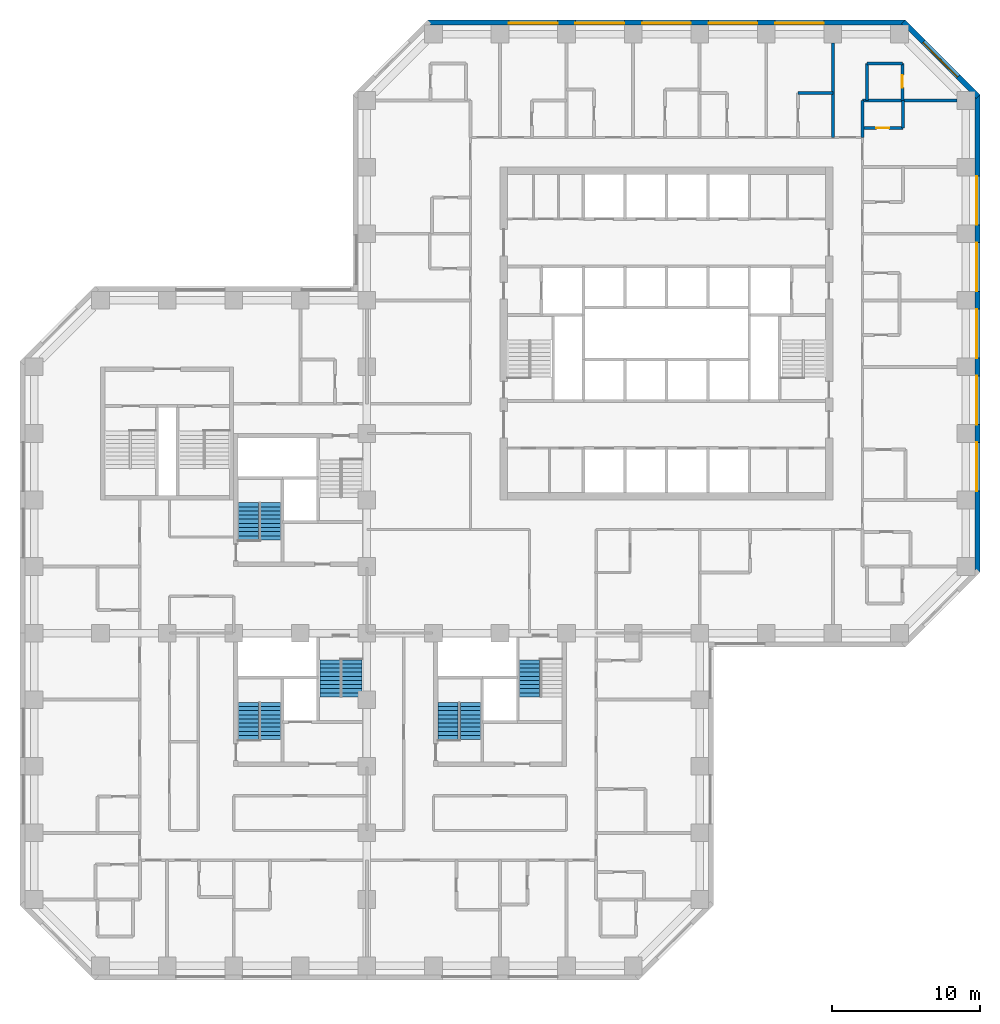
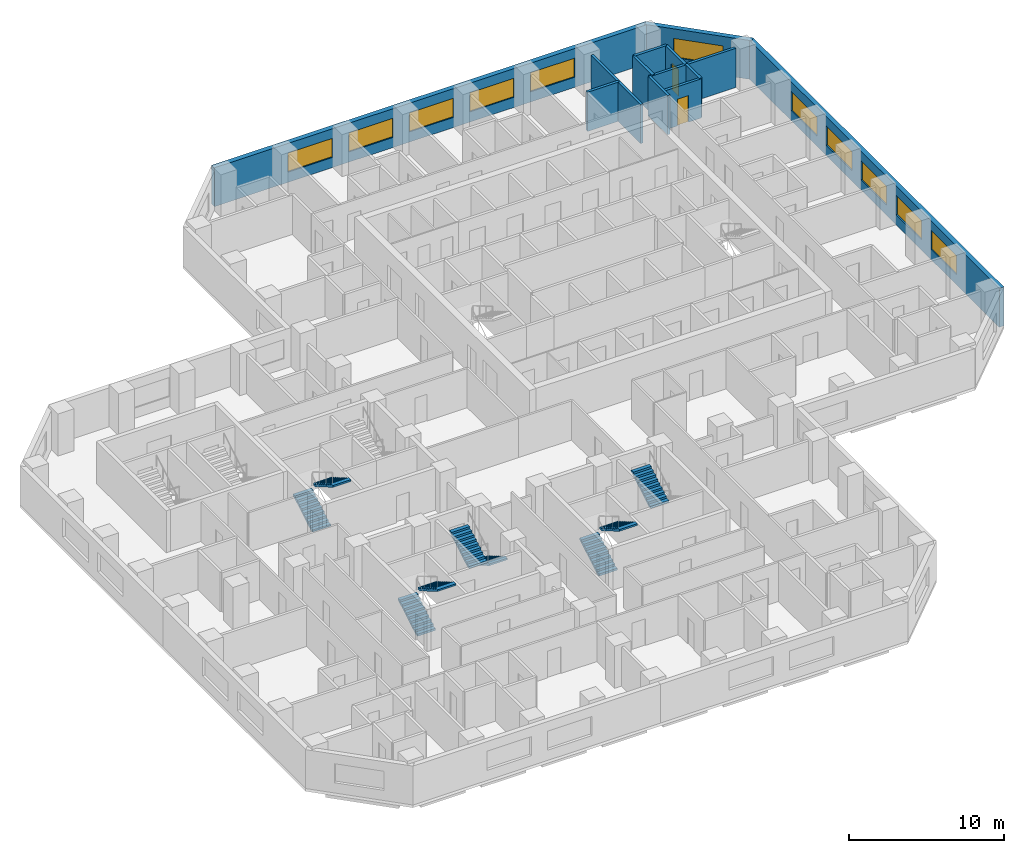
# One storey, part 10 of 12: 12 walls, 11 windows, 9 stair flights, 2 doors, 13 openings, 5 elements without a shape of their own.
"""IFC4 building model written with IfcOpenShell, lengths in metres."""

from ifc_helpers import new_model, si_unit, direction, frame, frame_2d, origin, place, context, subcontext, project, spatial, polyline, rectangle, outline, extrude, material, layer, layer_set, constituent, constituent_set, type_object, element, fill, aggregate, save


model = new_model("IFC4")

# Units and contexts
model_context = context("Model", 3, precision=1e-05, world=origin(), true_north=direction((0.0, 1.0)))
body_context = subcontext(model_context, "Body", "Model", "MODEL_VIEW")
ifc_project = project(units=[si_unit("LENGTHUNIT", "METRE"), si_unit("AREAUNIT", "SQUARE_METRE"), si_unit("VOLUMEUNIT", "CUBIC_METRE"), si_unit("PLANEANGLEUNIT", "RADIAN"), si_unit("MASSUNIT", "GRAM", prefix="KILO")], contexts=[model_context])

# Site, building, storey
site_placement = place(None, origin())
site = spatial("IfcSite", under=ifc_project, at=site_placement, CompositionType="ELEMENT")
building_placement = place(site_placement, origin())
building = spatial("IfcBuilding", under=site, at=building_placement, Name="Quoin Convention Tower", CompositionType="ELEMENT")
storey_placement = place(building_placement, frame((0.0, 0.0, 46.199951171875)))
storey = spatial("IfcBuildingStorey", under=building, at=storey_placement, Name="L11", CompositionType="ELEMENT", Elevation=46.199951171875)

# Wall, openings, windows
ifc_material_1 = material(Name="Brick masonry", Category="masonry")
ifc_layer_1 = layer(ifc_material_1, 0.35009765625)
ifc_layer_set_1 = layer_set([ifc_layer_1], Name="Brick masonry")
wall_type_1 = type_object("IfcWallType", Name="Brick facade wall", PredefinedType="STANDARD", material=ifc_layer_set_1)
wall_1_placement = place(storey_placement, frame((77.27490234375, 44.6064453125, 0.0), z_axis=(0.0, 0.0, 1.0), x_axis=(0.0, 1.0, 0.0)))
wall_1 = element("IfcWall", 1, at=wall_1_placement, inside=storey, type_object=wall_type_1, Name="fw-L11-76500_45000", PredefinedType="STANDARD", context=body_context, shape_type="SweptSolid", body=[
    extrude(rectangle(XDim=32.287109375, YDim=0.35009765625, at=frame_2d((16.1435546875, 0.0))), origin(), (0.0, 0.0, 1.0), 3.054931640625),
])
opening_1_placement = place(wall_1_placement, frame((5.493408203125, 0.0, 0.800048828125)))
opening_1 = element("IfcOpeningElement", 2, at=opening_1_placement, cuts=wall_1, Name="Opening W-01", PredefinedType="OPENING", context=body_context, shape_type="SweptSolid", body=[
    extrude(rectangle(XDim=3.300048828125, YDim=1.5, at=frame_2d((1.64990234375, 0.75))), frame((0.0, 0.18505859375, 0.0), z_axis=(0.0, -1.0, 0.0), x_axis=(1.0, 0.0, 0.0)), (0.0, 0.0, 1.0), 0.3701171875),
])
opening_2_placement = place(wall_1_placement, frame((9.993408203125, 0.0, 0.800048828125)))
opening_2 = element("IfcOpeningElement", 3, at=opening_2_placement, cuts=wall_1, Name="Opening W-01", PredefinedType="OPENING", context=body_context, shape_type="SweptSolid", body=[
    extrude(rectangle(XDim=3.300048828125, YDim=1.5, at=frame_2d((1.64990234375, 0.75))), frame((0.0, 0.18505859375, 0.0), z_axis=(0.0, -1.0, 0.0), x_axis=(1.0, 0.0, 0.0)), (0.0, 0.0, 1.0), 0.3701171875),
])
opening_3_placement = place(wall_1_placement, frame((14.493408203125, 0.0, 0.800048828125)))
opening_3 = element("IfcOpeningElement", 4, at=opening_3_placement, cuts=wall_1, Name="Opening W-01", PredefinedType="OPENING", context=body_context, shape_type="SweptSolid", body=[
    extrude(rectangle(XDim=3.300048828125, YDim=1.5, at=frame_2d((1.64990234375, 0.75))), frame((0.0, 0.18505859375, 0.0), z_axis=(0.0, -1.0, 0.0), x_axis=(1.0, 0.0, 0.0)), (0.0, 0.0, 1.0), 0.3701171875),
])
opening_4_placement = place(wall_1_placement, frame((18.993408203125, 0.0, 0.800048828125)))
opening_4 = element("IfcOpeningElement", 5, at=opening_4_placement, cuts=wall_1, Name="Opening W-01", PredefinedType="OPENING", context=body_context, shape_type="SweptSolid", body=[
    extrude(rectangle(XDim=3.300048828125, YDim=1.5, at=frame_2d((1.64990234375, 0.75))), frame((0.0, 0.18505859375, 0.0), z_axis=(0.0, -1.0, 0.0), x_axis=(1.0, 0.0, 0.0)), (0.0, 0.0, 1.0), 0.3701171875),
])
opening_5_placement = place(wall_1_placement, frame((23.493408203125, 0.0, 0.800048828125)))
opening_5 = element("IfcOpeningElement", 6, at=opening_5_placement, cuts=wall_1, Name="Opening W-01", PredefinedType="OPENING", context=body_context, shape_type="SweptSolid", body=[
    extrude(rectangle(XDim=3.300048828125, YDim=1.5, at=frame_2d((1.64990234375, 0.75))), frame((0.0, 0.18505859375, 0.0), z_axis=(0.0, -1.0, 0.0), x_axis=(1.0, 0.0, 0.0)), (0.0, 0.0, 1.0), 0.3701171875),
])
ifc_material_2 = material(Name="Aluminium", Category="aluminium")
ifc_constituent_1 = constituent(ifc_material_2, Name="Frame")
ifc_material_3 = material(Name="Insulated glass", Category="glass")
ifc_constituent_2 = constituent(ifc_material_3, Name="Glazing")
ifc_constituent_set = constituent_set(constituents=[ifc_constituent_1, ifc_constituent_2], Name="Aluminium")
window_type = type_object("IfcWindowType", Name="Hotel strip window", PartitioningType="DOUBLE_PANEL_VERTICAL", PredefinedType="WINDOW", material=ifc_constituent_set)
window_1_placement = place(opening_1_placement, origin())
window_1 = element("IfcWindow", 7, at=window_1_placement, inside=storey, type_object=window_type, Name="win-L11-77275_51750", OverallHeight=1.5, OverallWidth=3.300048828125, PartitioningType="SINGLE_PANEL", PredefinedType="WINDOW", context=body_context, shape_type="SweptSolid", body=[
    extrude(rectangle(XDim=3.300048828125, YDim=1.5, at=frame_2d((1.64990234375, 0.75))), frame((0.0, 0.0849609375, 0.0), z_axis=(0.0, -1.0, 0.0), x_axis=(1.0, 0.0, 0.0)), (0.0, 0.0, 1.0), 0.06005859375),
])
fill(opening_1, window_1)
window_2_placement = place(opening_2_placement, origin())
window_2 = element("IfcWindow", 8, at=window_2_placement, inside=storey, type_object=window_type, Name="win-L11-77275_56250", OverallHeight=1.5, OverallWidth=3.300048828125, PartitioningType="SINGLE_PANEL", PredefinedType="WINDOW", context=body_context, shape_type="SweptSolid", body=[
    extrude(rectangle(XDim=3.300048828125, YDim=1.5, at=frame_2d((1.64990234375, 0.75))), frame((0.0, 0.0849609375, 0.0), z_axis=(0.0, -1.0, 0.0), x_axis=(1.0, 0.0, 0.0)), (0.0, 0.0, 1.0), 0.06005859375),
])
fill(opening_2, window_2)
window_3_placement = place(opening_3_placement, origin())
window_3 = element("IfcWindow", 9, at=window_3_placement, inside=storey, type_object=window_type, Name="win-L11-77275_60750", OverallHeight=1.5, OverallWidth=3.300048828125, PartitioningType="SINGLE_PANEL", PredefinedType="WINDOW", context=body_context, shape_type="SweptSolid", body=[
    extrude(rectangle(XDim=3.300048828125, YDim=1.5, at=frame_2d((1.64990234375, 0.75))), frame((0.0, 0.0849609375, 0.0), z_axis=(0.0, -1.0, 0.0), x_axis=(1.0, 0.0, 0.0)), (0.0, 0.0, 1.0), 0.06005859375),
])
fill(opening_3, window_3)
window_4_placement = place(opening_4_placement, origin())
window_4 = element("IfcWindow", 10, at=window_4_placement, inside=storey, type_object=window_type, Name="win-L11-77275_65250", OverallHeight=1.5, OverallWidth=3.300048828125, PartitioningType="SINGLE_PANEL", PredefinedType="WINDOW", context=body_context, shape_type="SweptSolid", body=[
    extrude(rectangle(XDim=3.300048828125, YDim=1.5, at=frame_2d((1.64990234375, 0.75))), frame((0.0, 0.0849609375, 0.0), z_axis=(0.0, -1.0, 0.0), x_axis=(1.0, 0.0, 0.0)), (0.0, 0.0, 1.0), 0.06005859375),
])
fill(opening_4, window_4)
window_5_placement = place(opening_5_placement, origin())
window_5 = element("IfcWindow", 11, at=window_5_placement, inside=storey, type_object=window_type, Name="win-L11-77275_69750", OverallHeight=1.5, OverallWidth=3.300048828125, PartitioningType="SINGLE_PANEL", PredefinedType="WINDOW", context=body_context, shape_type="SweptSolid", body=[
    extrude(rectangle(XDim=3.300048828125, YDim=1.5, at=frame_2d((1.64990234375, 0.75))), frame((0.0, 0.0849609375, 0.0), z_axis=(0.0, -1.0, 0.0), x_axis=(1.0, 0.0, 0.0)), (0.0, 0.0, 1.0), 0.06005859375),
])
fill(opening_5, window_5)

# Wall, opening, window
wall_2_placement = place(storey_placement, frame((77.326416015625, 76.769775390625, 0.0), z_axis=(0.0, 0.0, 1.0), x_axis=(-0.707106781187, 0.707106781187, 0.0)))
wall_2 = element("IfcWall", 12, at=wall_2_placement, inside=storey, type_object=wall_type_1, Name="fw-L11-76500_76500", PredefinedType="STANDARD", context=body_context, shape_type="SweptSolid", body=[
    extrude(rectangle(XDim=7.151123046875, YDim=0.35009765625, at=frame_2d((3.57568359375, 0.0))), origin(), (0.0, 0.0, 1.0), 3.054931640625),
])
opening_6_placement = place(wall_2_placement, frame((1.925537109375, 0.0, 0.800048828125)))
opening_6 = element("IfcOpeningElement", 13, at=opening_6_placement, cuts=wall_2, Name="Opening W-01", PredefinedType="OPENING", context=body_context, shape_type="SweptSolid", body=[
    extrude(rectangle(XDim=3.300048828125, YDim=1.5, at=frame_2d((1.64990234375, 0.75))), frame((0.0, 0.18505859375, 0.0), z_axis=(0.0, -1.0, 0.0), x_axis=(1.0, 0.0, 0.0)), (0.0, 0.0, 1.0), 0.3701171875),
])
window_6_placement = place(opening_6_placement, origin())
window_6 = element("IfcWindow", 14, at=window_6_placement, inside=storey, type_object=window_type, Name="win-L11-74798_79298", OverallHeight=1.5, OverallWidth=3.300048828125, PartitioningType="SINGLE_PANEL", PredefinedType="WINDOW", context=body_context, shape_type="SweptSolid", body=[
    extrude(rectangle(XDim=3.300048828125, YDim=1.5, at=frame_2d((1.64990234375, 0.75))), frame((0.0, 0.0849609375, 0.0), z_axis=(0.0, -1.0, 0.0), x_axis=(1.0, 0.0, 0.0)), (0.0, 0.0, 1.0), 0.06005859375),
])
fill(opening_6, window_6)

# Wall, openings, windows
wall_3_placement = place(storey_placement, frame((72.3935546875, 81.77490234375, 0.0), z_axis=(0.0, 0.0, 1.0), x_axis=(-1.0, 0.0, 0.0)))
wall_3 = element("IfcWall", 15, at=wall_3_placement, inside=storey, type_object=wall_type_1, Name="fw-L11-72000_81000", PredefinedType="STANDARD", context=body_context, shape_type="SweptSolid", body=[
    extrude(rectangle(XDim=32.287109375, YDim=0.35009765625, at=frame_2d((16.1435546875, 0.0))), origin(), (0.0, 0.0, 1.0), 3.054931640625),
])
opening_7_placement = place(wall_3_placement, frame((5.493408203125, 0.0, 0.800048828125)))
opening_7 = element("IfcOpeningElement", 16, at=opening_7_placement, cuts=wall_3, Name="Opening W-01", PredefinedType="OPENING", context=body_context, shape_type="SweptSolid", body=[
    extrude(rectangle(XDim=3.300048828125, YDim=1.5, at=frame_2d((1.64990234375, 0.75))), frame((0.0, 0.18505859375, 0.0), z_axis=(0.0, -1.0, 0.0), x_axis=(1.0, 0.0, 0.0)), (0.0, 0.0, 1.0), 0.3701171875),
])
opening_8_placement = place(wall_3_placement, frame((9.993408203125, 0.0, 0.800048828125)))
opening_8 = element("IfcOpeningElement", 17, at=opening_8_placement, cuts=wall_3, Name="Opening W-01", PredefinedType="OPENING", context=body_context, shape_type="SweptSolid", body=[
    extrude(rectangle(XDim=3.300048828125, YDim=1.5, at=frame_2d((1.64990234375, 0.75))), frame((0.0, 0.18505859375, 0.0), z_axis=(0.0, -1.0, 0.0), x_axis=(1.0, 0.0, 0.0)), (0.0, 0.0, 1.0), 0.3701171875),
])
opening_9_placement = place(wall_3_placement, frame((14.493408203125, 0.0, 0.800048828125)))
opening_9 = element("IfcOpeningElement", 18, at=opening_9_placement, cuts=wall_3, Name="Opening W-01", PredefinedType="OPENING", context=body_context, shape_type="SweptSolid", body=[
    extrude(rectangle(XDim=3.300048828125, YDim=1.5, at=frame_2d((1.64990234375, 0.75))), frame((0.0, 0.18505859375, 0.0), z_axis=(0.0, -1.0, 0.0), x_axis=(1.0, 0.0, 0.0)), (0.0, 0.0, 1.0), 0.3701171875),
])
opening_10_placement = place(wall_3_placement, frame((18.993408203125, 0.0, 0.800048828125)))
opening_10 = element("IfcOpeningElement", 19, at=opening_10_placement, cuts=wall_3, Name="Opening W-01", PredefinedType="OPENING", context=body_context, shape_type="SweptSolid", body=[
    extrude(rectangle(XDim=3.300048828125, YDim=1.5, at=frame_2d((1.64990234375, 0.75))), frame((0.0, 0.18505859375, 0.0), z_axis=(0.0, -1.0, 0.0), x_axis=(1.0, 0.0, 0.0)), (0.0, 0.0, 1.0), 0.3701171875),
])
opening_11_placement = place(wall_3_placement, frame((23.493408203125, 0.0, 0.800048828125)))
opening_11 = element("IfcOpeningElement", 20, at=opening_11_placement, cuts=wall_3, Name="Opening W-01", PredefinedType="OPENING", context=body_context, shape_type="SweptSolid", body=[
    extrude(rectangle(XDim=3.300048828125, YDim=1.5, at=frame_2d((1.64990234375, 0.75))), frame((0.0, 0.18505859375, 0.0), z_axis=(0.0, -1.0, 0.0), x_axis=(1.0, 0.0, 0.0)), (0.0, 0.0, 1.0), 0.3701171875),
])
window_7_placement = place(opening_7_placement, origin())
window_7 = element("IfcWindow", 21, at=window_7_placement, inside=storey, type_object=window_type, Name="win-L11-65250_81775", OverallHeight=1.5, OverallWidth=3.300048828125, PartitioningType="SINGLE_PANEL", PredefinedType="WINDOW", context=body_context, shape_type="SweptSolid", body=[
    extrude(rectangle(XDim=3.300048828125, YDim=1.5, at=frame_2d((1.64990234375, 0.75))), frame((0.0, 0.0849609375, 0.0), z_axis=(0.0, -1.0, 0.0), x_axis=(1.0, 0.0, 0.0)), (0.0, 0.0, 1.0), 0.06005859375),
])
fill(opening_7, window_7)
window_8_placement = place(opening_8_placement, origin())
window_8 = element("IfcWindow", 22, at=window_8_placement, inside=storey, type_object=window_type, Name="win-L11-60750_81775", OverallHeight=1.5, OverallWidth=3.300048828125, PartitioningType="SINGLE_PANEL", PredefinedType="WINDOW", context=body_context, shape_type="SweptSolid", body=[
    extrude(rectangle(XDim=3.300048828125, YDim=1.5, at=frame_2d((1.64990234375, 0.75))), frame((0.0, 0.0849609375, 0.0), z_axis=(0.0, -1.0, 0.0), x_axis=(1.0, 0.0, 0.0)), (0.0, 0.0, 1.0), 0.06005859375),
])
fill(opening_8, window_8)
window_9_placement = place(opening_9_placement, origin())
window_9 = element("IfcWindow", 23, at=window_9_placement, inside=storey, type_object=window_type, Name="win-L11-56250_81775", OverallHeight=1.5, OverallWidth=3.300048828125, PartitioningType="SINGLE_PANEL", PredefinedType="WINDOW", context=body_context, shape_type="SweptSolid", body=[
    extrude(rectangle(XDim=3.300048828125, YDim=1.5, at=frame_2d((1.64990234375, 0.75))), frame((0.0, 0.0849609375, 0.0), z_axis=(0.0, -1.0, 0.0), x_axis=(1.0, 0.0, 0.0)), (0.0, 0.0, 1.0), 0.06005859375),
])
fill(opening_9, window_9)
window_10_placement = place(opening_10_placement, origin())
window_10 = element("IfcWindow", 24, at=window_10_placement, inside=storey, type_object=window_type, Name="win-L11-51750_81775", OverallHeight=1.5, OverallWidth=3.300048828125, PartitioningType="SINGLE_PANEL", PredefinedType="WINDOW", context=body_context, shape_type="SweptSolid", body=[
    extrude(rectangle(XDim=3.300048828125, YDim=1.5, at=frame_2d((1.64990234375, 0.75))), frame((0.0, 0.0849609375, 0.0), z_axis=(0.0, -1.0, 0.0), x_axis=(1.0, 0.0, 0.0)), (0.0, 0.0, 1.0), 0.06005859375),
])
fill(opening_10, window_10)
window_11_placement = place(opening_11_placement, origin())
window_11 = element("IfcWindow", 25, at=window_11_placement, inside=storey, type_object=window_type, Name="win-L11-47250_81775", OverallHeight=1.5, OverallWidth=3.300048828125, PartitioningType="SINGLE_PANEL", PredefinedType="WINDOW", context=body_context, shape_type="SweptSolid", body=[
    extrude(rectangle(XDim=3.300048828125, YDim=1.5, at=frame_2d((1.64990234375, 0.75))), frame((0.0, 0.0849609375, 0.0), z_axis=(0.0, -1.0, 0.0), x_axis=(1.0, 0.0, 0.0)), (0.0, 0.0, 1.0), 0.06005859375),
])
fill(opening_11, window_11)

# Walls
ifc_material_4 = material(Name="Concrete C50", Category="concrete")
ifc_layer_2 = layer(ifc_material_4, 0.199951171875)
ifc_layer_set_2 = layer_set([ifc_layer_2], Name="Concrete C50")
wall_type_2 = type_object("IfcWallType", Name="RC party wall", PredefinedType="SOLIDWALL", material=ifc_layer_set_2)
wall_4_placement = place(storey_placement, frame((67.5, 74.0, 0.0), z_axis=(0.0, 0.0, 1.0), x_axis=(0.0, 1.0, 0.0)))
element("IfcWall", 26, at=wall_4_placement, inside=storey, type_object=wall_type_2, Name="pw-L11-129", PredefinedType="SOLIDWALL", context=body_context, shape_type="SweptSolid", body=[
    extrude(rectangle(XDim=6.39990234375, YDim=0.199951171875, at=frame_2d((3.199951171875, 0.0))), origin(), (0.0, 0.0, 1.0), 3.080078125),
])
wall_5_placement = place(storey_placement, frame((69.5, 74.0, 0.0), z_axis=(0.0, 0.0, 1.0), x_axis=(0.0, 1.0, 0.0)))
element("IfcWall", 27, at=wall_5_placement, inside=storey, type_object=wall_type_2, Name="pw-L11-130", PredefinedType="SOLIDWALL", context=body_context, shape_type="SweptSolid", body=[
    extrude(rectangle(XDim=2.5, YDim=0.199951171875, at=frame_2d((1.25, 0.0))), origin(), (0.0, 0.0, 1.0), 3.080078125),
])

# Wall, opening, door
wall_6_placement = place(storey_placement, frame((69.5, 74.64990234375, 0.0), z_axis=(0.0, 0.0, 1.0), x_axis=(1.0, 0.0, 0.0)))
wall_6 = element("IfcWall", 28, at=wall_6_placement, inside=storey, type_object=wall_type_2, Name="pw-L11-131", PredefinedType="SOLIDWALL", context=body_context, shape_type="SweptSolid", body=[
    extrude(rectangle(XDim=2.75, YDim=0.199951171875, at=frame_2d((1.375, 0.0))), origin(), (0.0, 0.0, 1.0), 3.080078125),
])
opening_12_placement = place(wall_6_placement, frame((0.949951171875, 0.0, 0.0)))
opening_12 = element("IfcOpeningElement", 29, at=opening_12_placement, cuts=wall_6, Name="Opening DHOTEL-H-70", PredefinedType="OPENING", context=body_context, shape_type="SweptSolid", body=[
    extrude(rectangle(XDim=0.85009765625, YDim=2.10009765625, at=frame_2d((0.425048828125, 1.050048828125))), frame((0.0, 0.10986328125, 0.0), z_axis=(0.0, -1.0, 0.0), x_axis=(1.0, 0.0, 0.0)), (0.0, 0.0, 1.0), 0.219970703125),
])
ifc_material_5 = material(Name="Steel door leaf", Category="steel")
door_type = type_object("IfcDoorType", Name="Bathroom door", OperationType="SINGLE_SWING_LEFT", PredefinedType="DOOR", material=ifc_material_5)
door_1_placement = place(opening_12_placement, frame((0.85009765625, 0.0, 0.0), z_axis=(0.0, 0.0, 1.0), x_axis=(-1.0, 0.0, 0.0)))
door_1 = element("IfcDoor", 30, at=door_1_placement, inside=storey, type_object=door_type, Name="dr-L11-044", OperationType="SINGLE_SWING_RIGHT", OverallHeight=2.10009765625, OverallWidth=0.85009765625, PredefinedType="DOOR", context=body_context, shape_type="SweptSolid", body=[
    extrude(rectangle(XDim=0.85009765625, YDim=2.10009765625, at=frame_2d((0.425048828125, 1.050048828125))), frame((0.0, 0.02490234375, 0.0), z_axis=(0.0, -1.0, 0.0), x_axis=(1.0, 0.0, 0.0)), (0.0, 0.0, 1.0), 0.050048828125),
])
fill(opening_12, door_1)

# Walls
wall_7_placement = place(storey_placement, frame((72.25, 74.64990234375, 0.0), z_axis=(0.0, 0.0, 1.0), x_axis=(0.0, 1.0, 0.0)))
element("IfcWall", 31, at=wall_7_placement, inside=storey, type_object=wall_type_2, Name="pw-L11-132", PredefinedType="SOLIDWALL", context=body_context, shape_type="SweptSolid", body=[
    extrude(rectangle(XDim=1.85009765625, YDim=0.199951171875, at=frame_2d((0.925048828125, 0.0))), origin(), (0.0, 0.0, 1.0), 3.080078125),
])
wall_8_placement = place(storey_placement, frame((69.5, 76.5, 0.0), z_axis=(0.0, 0.0, 1.0), x_axis=(1.0, 0.0, 0.0)))
element("IfcWall", 32, at=wall_8_placement, inside=storey, type_object=wall_type_2, Name="pw-L11-137", PredefinedType="SOLIDWALL", context=body_context, shape_type="SweptSolid", body=[
    extrude(rectangle(XDim=6.39990234375, YDim=0.199951171875, at=frame_2d((3.199951171875, 0.0))), origin(), (0.0, 0.0, 1.0), 3.080078125),
])
wall_9_placement = place(storey_placement, frame((69.800048828125, 76.5, 0.0), z_axis=(0.0, 0.0, 1.0), x_axis=(0.0, 1.0, 0.0)))
element("IfcWall", 33, at=wall_9_placement, inside=storey, type_object=wall_type_2, Name="pw-L11-138", PredefinedType="SOLIDWALL", context=body_context, shape_type="SweptSolid", body=[
    extrude(rectangle(XDim=2.5, YDim=0.199951171875, at=frame_2d((1.25, 0.0))), origin(), (0.0, 0.0, 1.0), 3.080078125),
])

# Wall, opening, door
wall_10_placement = place(storey_placement, frame((72.199951171875, 76.5, 0.0), z_axis=(0.0, 0.0, 1.0), x_axis=(0.0, 1.0, 0.0)))
wall_10 = element("IfcWall", 34, at=wall_10_placement, inside=storey, type_object=wall_type_2, Name="pw-L11-139", PredefinedType="SOLIDWALL", context=body_context, shape_type="SweptSolid", body=[
    extrude(rectangle(XDim=2.5, YDim=0.199951171875, at=frame_2d((1.25, 0.0))), origin(), (0.0, 0.0, 1.0), 3.080078125),
])
opening_13_placement = place(wall_10_placement, frame((0.875, 0.0, 0.0)))
opening_13 = element("IfcOpeningElement", 35, at=opening_13_placement, cuts=wall_10, Name="Opening DHOTEL-H-72", PredefinedType="OPENING", context=body_context, shape_type="SweptSolid", body=[
    extrude(rectangle(XDim=0.85009765625, YDim=2.10009765625, at=frame_2d((0.425048828125, 1.050048828125))), frame((0.0, 0.10986328125, 0.0), z_axis=(0.0, -1.0, 0.0), x_axis=(1.0, 0.0, 0.0)), (0.0, 0.0, 1.0), 0.219970703125),
])
door_2_placement = place(opening_13_placement, frame((0.85009765625, 0.0, 0.0), z_axis=(0.0, 0.0, 1.0), x_axis=(-1.0, 0.0, 0.0)))
door_2 = element("IfcDoor", 36, at=door_2_placement, inside=storey, type_object=door_type, Name="dr-L11-066", OperationType="SINGLE_SWING_LEFT", OverallHeight=2.10009765625, OverallWidth=0.85009765625, PredefinedType="DOOR", context=body_context, shape_type="SweptSolid", body=[
    extrude(rectangle(XDim=0.85009765625, YDim=2.10009765625, at=frame_2d((0.425048828125, 1.050048828125))), frame((0.0, 0.02490234375, 0.0), z_axis=(0.0, -1.0, 0.0), x_axis=(1.0, 0.0, 0.0)), (0.0, 0.0, 1.0), 0.050048828125),
])
fill(opening_13, door_2)

# Walls
wall_11_placement = place(storey_placement, frame((65.14990234375, 77.0, 0.0), z_axis=(0.0, 0.0, 1.0), x_axis=(1.0, 0.0, 0.0)))
element("IfcWall", 37, at=wall_11_placement, inside=storey, type_object=wall_type_2, Name="pw-L11-141", PredefinedType="SOLIDWALL", context=body_context, shape_type="SweptSolid", body=[
    extrude(rectangle(XDim=2.35009765625, YDim=0.199951171875, at=frame_2d((1.175048828125, 0.0))), origin(), (0.0, 0.0, 1.0), 3.080078125),
])
wall_12_placement = place(storey_placement, frame((69.800048828125, 79.0, 0.0), z_axis=(0.0, 0.0, 1.0), x_axis=(1.0, 0.0, 0.0)))
element("IfcWall", 38, at=wall_12_placement, inside=storey, type_object=wall_type_2, Name="pw-L11-145", PredefinedType="SOLIDWALL", context=body_context, shape_type="SweptSolid", body=[
    extrude(rectangle(XDim=2.39990234375, YDim=0.199951171875, at=frame_2d((1.199951171875, 0.0))), origin(), (0.0, 0.0, 1.0), 3.080078125),
])

# Stair, stair flights
ifc_material_6 = material(Name="Concrete C40", Category="concrete")
stair_type = type_object("IfcStairType", Name="Exit stair two-flight 1350", PredefinedType="HALF_TURN_STAIR", material=ifc_material_6)
stair_1_placement = place(storey_placement, origin())
stair_1 = element("IfcStair", 39, at=stair_1_placement, inside=storey, type_object=stair_type, Name="SD3 L11", PredefinedType="HALF_TURN_STAIR")
stair_flight_type = type_object("IfcStairFlightType", Name="Stair flight 1350", PredefinedType="STRAIGHT", material=ifc_material_6)
stair_flight_1_placement = place(storey_placement, frame((28.0, 46.800048828125, 0.0), z_axis=(0.0, 0.0, 1.0), x_axis=(0.0, 1.0, 0.0)))
stair_flight_1 = element("IfcStairFlight", 40, at=stair_flight_1_placement, type_object=stair_flight_type, Name="ST3 flight 1", NumberOfRisers=10, NumberOfTreads=9, PredefinedType="STRAIGHT", RiserHeight=0.165, TreadLength=0.28, context=body_context, shape_type="SweptSolid", body=[
    extrude(outline(polyline([(0.0, 0.0), (0.0, 0.1650390625), (0.280029296875, 0.1650390625), (0.280029296875, 0.330078125), (0.56005859375, 0.330078125), (0.56005859375, 0.4951171875), (0.840087890625, 0.4951171875), (0.840087890625, 0.659912109375), (1.1201171875, 0.659912109375), (1.1201171875, 0.824951171875), (1.39990234375, 0.824951171875), (1.39990234375, 0.989990234375), (1.679931640625, 0.989990234375), (1.679931640625, 1.155029296875), (1.9599609375, 1.155029296875), (1.9599609375, 1.320068359375), (2.239990234375, 1.320068359375), (2.239990234375, 1.485107421875), (2.52001953125, 1.485107421875), (2.52001953125, 1.64990234375), (2.52001953125, 1.345458984375), (0.236572265625, 0.0), (0.0, 0.0)])), frame((0.0, 0.675048828125, 0.0), z_axis=(0.0, -1.0, 0.0), x_axis=(1.0, 0.0, 0.0)), (0.0, 0.0, 1.0), 1.35009765625),
])
stair_flight_2_placement = place(storey_placement, frame((29.5, 49.320068359375, 1.650146484375), z_axis=(0.0, 0.0, 1.0), x_axis=(0.0, -1.0, 0.0)))
stair_flight_2 = element("IfcStairFlight", 41, at=stair_flight_2_placement, type_object=stair_flight_type, Name="ST3 flight 2", NumberOfRisers=10, NumberOfTreads=9, PredefinedType="STRAIGHT", RiserHeight=0.165, TreadLength=0.28, context=body_context, shape_type="SweptSolid", body=[
    extrude(outline(polyline([(0.0, 0.0), (0.0, 0.1650390625), (0.280029296875, 0.1650390625), (0.280029296875, 0.330078125), (0.56005859375, 0.330078125), (0.56005859375, 0.4951171875), (0.840087890625, 0.4951171875), (0.840087890625, 0.659912109375), (1.1201171875, 0.659912109375), (1.1201171875, 0.824951171875), (1.39990234375, 0.824951171875), (1.39990234375, 0.989990234375), (1.679931640625, 0.989990234375), (1.679931640625, 1.155029296875), (1.9599609375, 1.155029296875), (1.9599609375, 1.320068359375), (2.239990234375, 1.320068359375), (2.239990234375, 1.485107421875), (2.52001953125, 1.485107421875), (2.52001953125, 1.64990234375), (2.52001953125, 1.345458984375), (0.236572265625, 0.0), (0.0, 0.0)])), frame((0.0, 0.675048828125, 0.0), z_axis=(0.0, -1.0, 0.0), x_axis=(1.0, 0.0, 0.0)), (0.0, 0.0, 1.0), 1.35009765625),
])
aggregate(stair_1, [stair_flight_1, stair_flight_2])

stair_2_placement = place(storey_placement, origin())
stair_2 = element("IfcStair", 42, at=stair_2_placement, inside=storey, type_object=stair_type, Name="SD5 L11", PredefinedType="HALF_TURN_STAIR")
stair_flight_3_placement = place(storey_placement, frame((41.5, 33.300048828125, 0.0), z_axis=(0.0, 0.0, 1.0), x_axis=(0.0, 1.0, 0.0)))
stair_flight_3 = element("IfcStairFlight", 43, at=stair_flight_3_placement, type_object=stair_flight_type, Name="ST5 flight 1", NumberOfRisers=10, NumberOfTreads=9, PredefinedType="STRAIGHT", RiserHeight=0.165, TreadLength=0.28, context=body_context, shape_type="SweptSolid", body=[
    extrude(outline(polyline([(0.0, 0.0), (0.0, 0.1650390625), (0.280029296875, 0.1650390625), (0.280029296875, 0.330078125), (0.56005859375, 0.330078125), (0.56005859375, 0.4951171875), (0.840087890625, 0.4951171875), (0.840087890625, 0.659912109375), (1.1201171875, 0.659912109375), (1.1201171875, 0.824951171875), (1.39990234375, 0.824951171875), (1.39990234375, 0.989990234375), (1.679931640625, 0.989990234375), (1.679931640625, 1.155029296875), (1.9599609375, 1.155029296875), (1.9599609375, 1.320068359375), (2.239990234375, 1.320068359375), (2.239990234375, 1.485107421875), (2.52001953125, 1.485107421875), (2.52001953125, 1.64990234375), (2.52001953125, 1.345458984375), (0.236572265625, 0.0), (0.0, 0.0)])), frame((0.0, 0.675048828125, 0.0), z_axis=(0.0, -1.0, 0.0), x_axis=(1.0, 0.0, 0.0)), (0.0, 0.0, 1.0), 1.35009765625),
])
stair_flight_4_placement = place(storey_placement, frame((43.0, 35.820068359375, 1.650146484375), z_axis=(0.0, 0.0, 1.0), x_axis=(0.0, -1.0, 0.0)))
stair_flight_4 = element("IfcStairFlight", 44, at=stair_flight_4_placement, type_object=stair_flight_type, Name="ST5 flight 2", NumberOfRisers=10, NumberOfTreads=9, PredefinedType="STRAIGHT", RiserHeight=0.165, TreadLength=0.28, context=body_context, shape_type="SweptSolid", body=[
    extrude(outline(polyline([(0.0, 0.0), (0.0, 0.1650390625), (0.280029296875, 0.1650390625), (0.280029296875, 0.330078125), (0.56005859375, 0.330078125), (0.56005859375, 0.4951171875), (0.840087890625, 0.4951171875), (0.840087890625, 0.659912109375), (1.1201171875, 0.659912109375), (1.1201171875, 0.824951171875), (1.39990234375, 0.824951171875), (1.39990234375, 0.989990234375), (1.679931640625, 0.989990234375), (1.679931640625, 1.155029296875), (1.9599609375, 1.155029296875), (1.9599609375, 1.320068359375), (2.239990234375, 1.320068359375), (2.239990234375, 1.485107421875), (2.52001953125, 1.485107421875), (2.52001953125, 1.64990234375), (2.52001953125, 1.345458984375), (0.236572265625, 0.0), (0.0, 0.0)])), frame((0.0, 0.675048828125, 0.0), z_axis=(0.0, -1.0, 0.0), x_axis=(1.0, 0.0, 0.0)), (0.0, 0.0, 1.0), 1.35009765625),
])
aggregate(stair_2, [stair_flight_3, stair_flight_4])

# Stair, stair flight
stair_3_placement = place(storey_placement, origin())
stair_3 = element("IfcStair", 45, at=stair_3_placement, inside=storey, type_object=stair_type, Name="SD6 L11", PredefinedType="HALF_TURN_STAIR")
stair_flight_5_placement = place(storey_placement, frame((47.0, 36.179931640625, 1.650146484375), z_axis=(0.0, 0.0, 1.0), x_axis=(0.0, 1.0, 0.0)))
stair_flight_5 = element("IfcStairFlight", 46, at=stair_flight_5_placement, type_object=stair_flight_type, Name="ST6 flight 2", NumberOfRisers=10, NumberOfTreads=9, PredefinedType="STRAIGHT", RiserHeight=0.165, TreadLength=0.28, context=body_context, shape_type="SweptSolid", body=[
    extrude(outline(polyline([(0.0, 0.0), (0.0, 0.1650390625), (0.280029296875, 0.1650390625), (0.280029296875, 0.330078125), (0.56005859375, 0.330078125), (0.56005859375, 0.4951171875), (0.840087890625, 0.4951171875), (0.840087890625, 0.659912109375), (1.1201171875, 0.659912109375), (1.1201171875, 0.824951171875), (1.39990234375, 0.824951171875), (1.39990234375, 0.989990234375), (1.679931640625, 0.989990234375), (1.679931640625, 1.155029296875), (1.9599609375, 1.155029296875), (1.9599609375, 1.320068359375), (2.239990234375, 1.320068359375), (2.239990234375, 1.485107421875), (2.52001953125, 1.485107421875), (2.52001953125, 1.64990234375), (2.52001953125, 1.345458984375), (0.236572265625, 0.0), (0.0, 0.0)])), frame((0.0, 0.675048828125, 0.0), z_axis=(0.0, -1.0, 0.0), x_axis=(1.0, 0.0, 0.0)), (0.0, 0.0, 1.0), 1.35009765625),
])
aggregate(stair_3, [stair_flight_5])

# Stair, stair flights
stair_4_placement = place(storey_placement, origin())
stair_4 = element("IfcStair", 47, at=stair_4_placement, inside=storey, type_object=stair_type, Name="SD7 L11", PredefinedType="HALF_TURN_STAIR")
stair_flight_6_placement = place(storey_placement, frame((28.0, 33.300048828125, 0.0), z_axis=(0.0, 0.0, 1.0), x_axis=(0.0, 1.0, 0.0)))
stair_flight_6 = element("IfcStairFlight", 48, at=stair_flight_6_placement, type_object=stair_flight_type, Name="ST7 flight 1", NumberOfRisers=10, NumberOfTreads=9, PredefinedType="STRAIGHT", RiserHeight=0.165, TreadLength=0.28, context=body_context, shape_type="SweptSolid", body=[
    extrude(outline(polyline([(0.0, 0.0), (0.0, 0.1650390625), (0.280029296875, 0.1650390625), (0.280029296875, 0.330078125), (0.56005859375, 0.330078125), (0.56005859375, 0.4951171875), (0.840087890625, 0.4951171875), (0.840087890625, 0.659912109375), (1.1201171875, 0.659912109375), (1.1201171875, 0.824951171875), (1.39990234375, 0.824951171875), (1.39990234375, 0.989990234375), (1.679931640625, 0.989990234375), (1.679931640625, 1.155029296875), (1.9599609375, 1.155029296875), (1.9599609375, 1.320068359375), (2.239990234375, 1.320068359375), (2.239990234375, 1.485107421875), (2.52001953125, 1.485107421875), (2.52001953125, 1.64990234375), (2.52001953125, 1.345458984375), (0.236572265625, 0.0), (0.0, 0.0)])), frame((0.0, 0.675048828125, 0.0), z_axis=(0.0, -1.0, 0.0), x_axis=(1.0, 0.0, 0.0)), (0.0, 0.0, 1.0), 1.35009765625),
])
stair_flight_7_placement = place(storey_placement, frame((29.5, 35.820068359375, 1.650146484375), z_axis=(0.0, 0.0, 1.0), x_axis=(0.0, -1.0, 0.0)))
stair_flight_7 = element("IfcStairFlight", 49, at=stair_flight_7_placement, type_object=stair_flight_type, Name="ST7 flight 2", NumberOfRisers=10, NumberOfTreads=9, PredefinedType="STRAIGHT", RiserHeight=0.165, TreadLength=0.28, context=body_context, shape_type="SweptSolid", body=[
    extrude(outline(polyline([(0.0, 0.0), (0.0, 0.1650390625), (0.280029296875, 0.1650390625), (0.280029296875, 0.330078125), (0.56005859375, 0.330078125), (0.56005859375, 0.4951171875), (0.840087890625, 0.4951171875), (0.840087890625, 0.659912109375), (1.1201171875, 0.659912109375), (1.1201171875, 0.824951171875), (1.39990234375, 0.824951171875), (1.39990234375, 0.989990234375), (1.679931640625, 0.989990234375), (1.679931640625, 1.155029296875), (1.9599609375, 1.155029296875), (1.9599609375, 1.320068359375), (2.239990234375, 1.320068359375), (2.239990234375, 1.485107421875), (2.52001953125, 1.485107421875), (2.52001953125, 1.64990234375), (2.52001953125, 1.345458984375), (0.236572265625, 0.0), (0.0, 0.0)])), frame((0.0, 0.675048828125, 0.0), z_axis=(0.0, -1.0, 0.0), x_axis=(1.0, 0.0, 0.0)), (0.0, 0.0, 1.0), 1.35009765625),
])
aggregate(stair_4, [stair_flight_6, stair_flight_7])

stair_5_placement = place(storey_placement, origin())
stair_5 = element("IfcStair", 50, at=stair_5_placement, inside=storey, type_object=stair_type, Name="SD8 L11", PredefinedType="HALF_TURN_STAIR")
stair_flight_8_placement = place(storey_placement, frame((35.0, 38.699951171875, 0.0), z_axis=(0.0, 0.0, 1.0), x_axis=(0.0, -1.0, 0.0)))
stair_flight_8 = element("IfcStairFlight", 51, at=stair_flight_8_placement, type_object=stair_flight_type, Name="ST8 flight 1", NumberOfRisers=10, NumberOfTreads=9, PredefinedType="STRAIGHT", RiserHeight=0.165, TreadLength=0.28, context=body_context, shape_type="SweptSolid", body=[
    extrude(outline(polyline([(0.0, 0.0), (0.0, 0.1650390625), (0.280029296875, 0.1650390625), (0.280029296875, 0.330078125), (0.56005859375, 0.330078125), (0.56005859375, 0.4951171875), (0.840087890625, 0.4951171875), (0.840087890625, 0.659912109375), (1.1201171875, 0.659912109375), (1.1201171875, 0.824951171875), (1.39990234375, 0.824951171875), (1.39990234375, 0.989990234375), (1.679931640625, 0.989990234375), (1.679931640625, 1.155029296875), (1.9599609375, 1.155029296875), (1.9599609375, 1.320068359375), (2.239990234375, 1.320068359375), (2.239990234375, 1.485107421875), (2.52001953125, 1.485107421875), (2.52001953125, 1.64990234375), (2.52001953125, 1.345458984375), (0.236572265625, 0.0), (0.0, 0.0)])), frame((0.0, 0.675048828125, 0.0), z_axis=(0.0, -1.0, 0.0), x_axis=(1.0, 0.0, 0.0)), (0.0, 0.0, 1.0), 1.35009765625),
])
stair_flight_9_placement = place(storey_placement, frame((33.5, 36.179931640625, 1.650146484375), z_axis=(0.0, 0.0, 1.0), x_axis=(0.0, 1.0, 0.0)))
stair_flight_9 = element("IfcStairFlight", 52, at=stair_flight_9_placement, type_object=stair_flight_type, Name="ST8 flight 2", NumberOfRisers=10, NumberOfTreads=9, PredefinedType="STRAIGHT", RiserHeight=0.165, TreadLength=0.28, context=body_context, shape_type="SweptSolid", body=[
    extrude(outline(polyline([(0.0, 0.0), (0.0, 0.1650390625), (0.280029296875, 0.1650390625), (0.280029296875, 0.330078125), (0.56005859375, 0.330078125), (0.56005859375, 0.4951171875), (0.840087890625, 0.4951171875), (0.840087890625, 0.659912109375), (1.1201171875, 0.659912109375), (1.1201171875, 0.824951171875), (1.39990234375, 0.824951171875), (1.39990234375, 0.989990234375), (1.679931640625, 0.989990234375), (1.679931640625, 1.155029296875), (1.9599609375, 1.155029296875), (1.9599609375, 1.320068359375), (2.239990234375, 1.320068359375), (2.239990234375, 1.485107421875), (2.52001953125, 1.485107421875), (2.52001953125, 1.64990234375), (2.52001953125, 1.345458984375), (0.236572265625, 0.0), (0.0, 0.0)])), frame((0.0, 0.675048828125, 0.0), z_axis=(0.0, -1.0, 0.0), x_axis=(1.0, 0.0, 0.0)), (0.0, 0.0, 1.0), 1.35009765625),
])
aggregate(stair_5, [stair_flight_8, stair_flight_9])

save(model, "model.ifc")
